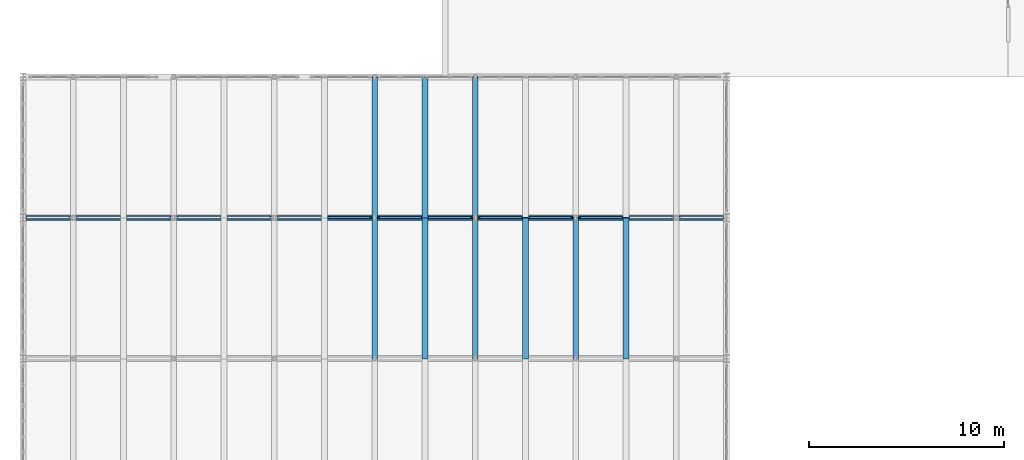
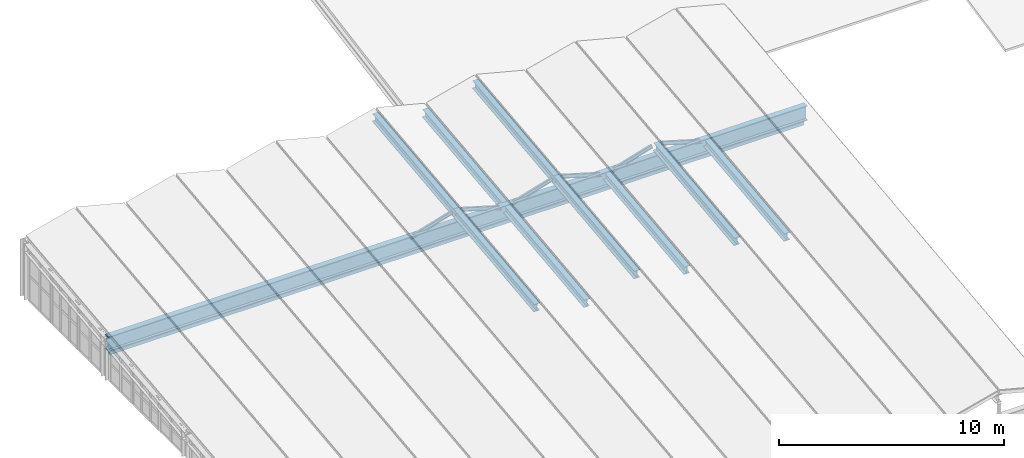
# One storey, part 6 of 39: 10 beams, 7 members.
"""IFC4 building model written with IfcOpenShell, lengths in metres."""

import ifcopenshell
import ifcopenshell.guid

model = None  # the IFC model being written
_history = None  # IfcOwnerHistory: only IFC2X3 demands one
_inside = {}  # id of a spatial element -> (the spatial element, [elements in it])
_under = {}  # id of a project, library or spatial element -> (it, [spatial elements below it])
_declared = {}  # id of a project -> (the project, [libraries it declares])
_typed = {}  # id of a type object -> (the type object, [elements of that type])
_made_of = {}  # id of a material, layer set ... -> (it, [elements and type objects made of it])


def new_model(schema):
    """Start an empty IFC model of exactly this schema.

    Asked for "IFC4X3", IfcOpenShell would pick the latest addendum, in which some entities
    have other attributes; the version numbers below select the first issue.
    IFC2X3 requires an IfcOwnerHistory on every rooted entity: one is made here for all.
    """
    global model, _history
    if schema == "IFC4X3":
        model = ifcopenshell.file(schema_version=(4, 3, 0, 0))
    else:
        model = ifcopenshell.file(schema=schema)
    _inside.clear()
    _under.clear()
    _declared.clear()
    _typed.clear()
    _made_of.clear()
    _history = None
    if model.schema == "IFC2X3":
        org = make("IfcOrganization", Name="unknown")
        user = make(
            "IfcPersonAndOrganization",
            ThePerson=make("IfcPerson", FamilyName="unknown"),
            TheOrganization=org,
        )
        app = make(
            "IfcApplication",
            ApplicationDeveloper=org,
            Version="unknown",
            ApplicationFullName="unknown",
            ApplicationIdentifier="unknown",
        )
        _history = make(
            "IfcOwnerHistory",
            OwningUser=user,
            OwningApplication=app,
            ChangeAction="ADDED",
            CreationDate=0,
        )
    return model


def make(cls, **values):
    """One entity of the class cls with the attributes given. An attribute that is None is left unset."""
    return model.create_entity(
        cls, **{name: value for name, value in values.items() if value is not None}
    )


def rooted(cls, **values):
    """An entity with a GlobalId (a new one), such as an element, a storey or a relation."""
    return make(cls, GlobalId=ifcopenshell.guid.new(), OwnerHistory=_history, **values)


def si_unit(unit_type, name, prefix=None):
    """IfcSIUnit, for example si_unit("LENGTHUNIT", "METRE", prefix="MILLI")."""
    return make("IfcSIUnit", UnitType=unit_type, Prefix=prefix, Name=name)


def assignment(units):
    """IfcUnitAssignment: the units of a project."""
    return None if units is None else make("IfcUnitAssignment", Units=units)


def point(xyz):
    """IfcCartesianPoint."""
    return None if xyz is None else make("IfcCartesianPoint", Coordinates=xyz)


def direction(xyz):
    """IfcDirection."""
    return None if xyz is None else make("IfcDirection", DirectionRatios=xyz)


def frame(location, z_axis=None, x_axis=None):
    """IfcAxis2Placement3D, a coordinate frame: its origin and axes. An axis left out is left unset."""
    return make(
        "IfcAxis2Placement3D",
        Location=point(location),
        Axis=direction(z_axis),
        RefDirection=direction(x_axis),
    )


def frame_2d(location, x_axis=None):
    """IfcAxis2Placement2D, a coordinate frame in the plane: its origin and x axis."""
    return make(
        "IfcAxis2Placement2D", Location=point(location), RefDirection=direction(x_axis)
    )


def origin():
    """The frame at (0, 0, 0) with its axes left unset."""
    return frame((0.0, 0.0, 0.0))


def origin_2d():
    """The frame at (0, 0) in the plane with its x axis left unset."""
    return frame_2d((0.0, 0.0))


def place(relative_to, where):
    """IfcLocalPlacement: puts the frame where relative to a parent placement (None: the world)."""
    return make(
        "IfcLocalPlacement", PlacementRelTo=relative_to, RelativePlacement=where
    )


def context(
    kind, dimensions, precision=None, world=None, true_north=None, identifier=None
):
    """IfcGeometricRepresentationContext, for example the 3D "Model" context."""
    return make(
        "IfcGeometricRepresentationContext",
        ContextIdentifier=identifier,
        ContextType=kind,
        CoordinateSpaceDimension=dimensions,
        Precision=precision,
        WorldCoordinateSystem=world,
        TrueNorth=true_north,
    )


def subcontext(parent, identifier, kind, view, scale=None):
    """IfcGeometricRepresentationSubContext, for example "Body" below "Model"."""
    return make(
        "IfcGeometricRepresentationSubContext",
        ContextIdentifier=identifier,
        ContextType=kind,
        ParentContext=parent,
        TargetScale=scale,
        TargetView=view,
    )


def project(units=None, contexts=None):
    """IfcProject with its units and contexts."""
    return rooted(
        "IfcProject",
        Name="project",
        RepresentationContexts=contexts,
        UnitsInContext=assignment(units),
    )


def spatial(cls, under=None, at=None, **own):
    """A site, building, storey or space (cls), placed at a placement, below another one or the project."""
    s = rooted(cls, ObjectPlacement=at, **own)
    if under is not None:
        _under.setdefault(under.id(), (under, []))[1].append(s)
    return s


def profile(cls, at=None, kind="AREA", **sizes):
    """A parametric profile (cls). Its sizes go by their IFC names, for example OverallWidth=200.0."""
    return make(cls, ProfileType=kind, Position=at, **sizes)


def hollow_rectangle(**sizes):
    """IfcRectangleHollowProfileDef."""
    return profile("IfcRectangleHollowProfileDef", **sizes)


def i_section(**sizes):
    """IfcIShapeProfileDef."""
    return profile("IfcIShapeProfileDef", **sizes)


def extrude(swept, where, along, depth):
    """IfcExtrudedAreaSolid: the profile swept, set in the frame where, extruded along a direction by depth."""
    return make(
        "IfcExtrudedAreaSolid",
        SweptArea=swept,
        Position=where,
        ExtrudedDirection=direction(along),
        Depth=depth,
    )


def shape(context_of_items, identifier, shape_type, items):
    """IfcShapeRepresentation: the items that make up one representation, for example the "Body"."""
    return make(
        "IfcShapeRepresentation",
        ContextOfItems=context_of_items,
        RepresentationIdentifier=identifier,
        RepresentationType=shape_type,
        Items=items,
    )


def material(Name=None, Category=None):
    """IfcMaterial."""
    return make("IfcMaterial", Name=Name, Category=Category)


def material_profile(
    of_material, cross_section, Name=None, Category=None, Priority=None
):
    """IfcMaterialProfile: a cross section and its material."""
    return make(
        "IfcMaterialProfile",
        Name=Name,
        Material=of_material,
        Profile=cross_section,
        Priority=Priority,
        Category=Category,
    )


def profile_set(profiles, Name=None, composite=None):
    """IfcMaterialProfileSet."""
    return make(
        "IfcMaterialProfileSet",
        Name=Name,
        MaterialProfiles=profiles,
        CompositeProfile=composite,
    )


def made_of(thing, what):
    """Note that an element or type object is made of a material, layer set ...; save() writes the relation."""
    if what is not None:
        _made_of.setdefault(what.id(), (what, []))[1].append(thing)
    return thing


def type_object(cls, material=None, **own):
    """A type object (cls), such as IfcWallType, which elements share."""
    return made_of(rooted(cls, **own), material)


def element(
    cls,
    number,
    at=None,
    inside=None,
    cuts=None,
    type_object=None,
    material=None,
    context=None,
    identifier="Body",
    shape_type=None,
    held_by="IfcProductDefinitionShape",
    body=None,
    shapes=None,
    **own,
):
    """One element of the class cls, such as IfcWall. Its Tag is "e" and its number.

    at: its placement. inside: the storey or other place that contains it. cuts: it is an
    opening in that element (IfcRelVoidsElement). A single representation is given by context,
    identifier, shape_type and body (its items); several are given by shapes. held_by: the class
    of the entity that holds the representations. save() writes the other relations.
    """
    e = rooted(cls, Tag="e%d" % number, ObjectPlacement=at, **own)
    if body is not None:
        shapes = [shape(context, identifier, shape_type, body)]
    if shapes is not None:
        e.Representation = make(held_by, Representations=shapes)
    if inside is not None:
        _inside.setdefault(inside.id(), (inside, []))[1].append(e)
    if cuts is not None:
        rooted(
            "IfcRelVoidsElement", RelatingBuildingElement=cuts, RelatedOpeningElement=e
        )
    if type_object is not None:
        _typed.setdefault(type_object.id(), (type_object, []))[1].append(e)
    return made_of(e, material)


def aggregate(whole, parts):
    """IfcRelAggregates: a whole, such as a stair, and the parts it consists of."""
    return rooted("IfcRelAggregates", RelatingObject=whole, RelatedObjects=parts)


def save(model, path):
    """Write the relations noted so far, then the file.

    IfcRelAggregates (storeys below a building ...), IfcRelContainedInSpatialStructure (elements
    in a storey), IfcRelDefinesByType, IfcRelAssociatesMaterial and IfcRelDeclares: one each for
    every whole, place, type object, material and project.
    """
    for whole, parts in _under.values():
        aggregate(whole, parts)
    for where, things in _inside.values():
        rooted(
            "IfcRelContainedInSpatialStructure",
            RelatedElements=things,
            RelatingStructure=where,
        )
    for kind, things in _typed.values():
        rooted("IfcRelDefinesByType", RelatedObjects=things, RelatingType=kind)
    for what, things in _made_of.values():
        rooted("IfcRelAssociatesMaterial", RelatedObjects=things, RelatingMaterial=what)
    for by, libraries in _declared.values():
        rooted("IfcRelDeclares", RelatingContext=by, RelatedDefinitions=libraries)
    model.write(path)


model = new_model("IFC4")

# Units and contexts
model_context = context("Model", 3, precision=1e-05, world=origin(), true_north=direction((0.0, 1.0)))
body_context = subcontext(model_context, "Body", "Model", "MODEL_VIEW")
ifc_project = project(units=[si_unit("LENGTHUNIT", "METRE"), si_unit("AREAUNIT", "SQUARE_METRE"), si_unit("VOLUMEUNIT", "CUBIC_METRE"), si_unit("PLANEANGLEUNIT", "RADIAN"), si_unit("MASSUNIT", "GRAM", prefix="KILO"), si_unit("THERMODYNAMICTEMPERATUREUNIT", "KELVIN"), si_unit("POWERUNIT", "WATT")], contexts=[model_context])

# Site, building, storey
site_placement = place(None, origin())
site = spatial("IfcSite", under=ifc_project, at=site_placement, CompositionType="ELEMENT")
building_placement = place(site_placement, origin())
building = spatial("IfcBuilding", under=site, at=building_placement, Name="Kaldorven Railside Theatre", CompositionType="ELEMENT")
storey_placement = place(building_placement, frame((0.0, 0.0, 27.300048828125)))
storey = spatial("IfcBuildingStorey", under=building, at=storey_placement, Name="ROOF", CompositionType="ELEMENT", Elevation=27.300048828125)

# Beams
ifc_material = material(Name="Steel S355", Category="steel")
ifc_material_profile_1 = material_profile(ifc_material, i_section(OverallWidth=0.300048828125, OverallDepth=0.449951171875, WebThickness=0.013916015625, FlangeThickness=0.02587890625, at=origin_2d()), Name="HEB 450")
ifc_profile_set_1 = profile_set([ifc_material_profile_1], Name="Steel S355")
beam_type_1 = type_object("IfcBeamType", Name="BM-HEB450", PredefinedType="BEAM", material=ifc_profile_set_1)
beam_1_placement = place(storey_placement, frame((105.199951171875, 98.39990234375, 1.8701171875), z_axis=(0.0, 0.993580147592, 0.113130412845), x_axis=(-1.0, 0.0, 0.0)))
element("IfcBeam", 1, at=beam_1_placement, inside=storey, type_object=beam_type_1, Name="V2 Folded-Plate Ridge Girder RB-129", PredefinedType="BEAM", context=body_context, shape_type="SweptSolid", body=[
    extrude(i_section(OverallWidth=0.300048828125, OverallDepth=0.449951171875, WebThickness=0.013916015625, FlangeThickness=0.02587890625, at=origin_2d()), origin(), (0.0, 0.0, 1.0), 7.246826171875),
])
beam_2_placement = place(storey_placement, frame((105.199951171875, 105.60009765625, 2.68994140625), z_axis=(0.0, 0.993575928723, 0.11316745938), x_axis=(-1.0, 0.0, 0.0)))
element("IfcBeam", 2, at=beam_2_placement, inside=storey, type_object=beam_type_1, Name="V2 Folded-Plate Ridge Girder RB-130", PredefinedType="BEAM", context=body_context, shape_type="SweptSolid", body=[
    extrude(i_section(OverallWidth=0.300048828125, OverallDepth=0.449951171875, WebThickness=0.013916015625, FlangeThickness=0.02587890625, at=origin_2d()), origin(), (0.0, 0.0, 1.0), 7.24658203125),
])
beam_3_placement = place(storey_placement, frame((107.771484375, 98.39990234375, 1.205078125), z_axis=(0.0, 0.993576360175, 0.113163671295), x_axis=(-1.0, 0.0, 0.0)))
element("IfcBeam", 3, at=beam_3_placement, inside=storey, type_object=beam_type_1, Name="V2 Folded-Plate Valley Girder VB-133", PredefinedType="BEAM", context=body_context, shape_type="SweptSolid", body=[
    extrude(i_section(OverallWidth=0.300048828125, OverallDepth=0.449951171875, WebThickness=0.013916015625, FlangeThickness=0.02587890625, at=origin_2d()), origin(), (0.0, 0.0, 1.0), 7.246826171875),
])
beam_4_placement = place(storey_placement, frame((107.771484375, 105.60009765625, 2.025146484375), z_axis=(0.0, 0.993579716392, 0.113134199846), x_axis=(-1.0, 0.0, 0.0)))
element("IfcBeam", 4, at=beam_4_placement, inside=storey, type_object=beam_type_1, Name="V2 Folded-Plate Valley Girder VB-134", PredefinedType="BEAM", context=body_context, shape_type="SweptSolid", body=[
    extrude(i_section(OverallWidth=0.300048828125, OverallDepth=0.449951171875, WebThickness=0.013916015625, FlangeThickness=0.02587890625, at=origin_2d()), origin(), (0.0, 0.0, 1.0), 7.24658203125),
])
beam_5_placement = place(storey_placement, frame((110.3427734375, 98.39990234375, 1.8701171875), z_axis=(0.0, 0.993580147592, 0.113130412845), x_axis=(-1.0, 0.0, 0.0)))
element("IfcBeam", 5, at=beam_5_placement, inside=storey, type_object=beam_type_1, Name="V2 Folded-Plate Ridge Girder RB-137", PredefinedType="BEAM", context=body_context, shape_type="SweptSolid", body=[
    extrude(i_section(OverallWidth=0.300048828125, OverallDepth=0.449951171875, WebThickness=0.013916015625, FlangeThickness=0.02587890625, at=origin_2d()), origin(), (0.0, 0.0, 1.0), 7.246826171875),
])
beam_6_placement = place(storey_placement, frame((110.3427734375, 105.60009765625, 2.68994140625), z_axis=(0.0, 0.993575928723, 0.11316745938), x_axis=(-1.0, 0.0, 0.0)))
element("IfcBeam", 6, at=beam_6_placement, inside=storey, type_object=beam_type_1, Name="V2 Folded-Plate Ridge Girder RB-138", PredefinedType="BEAM", context=body_context, shape_type="SweptSolid", body=[
    extrude(i_section(OverallWidth=0.300048828125, OverallDepth=0.449951171875, WebThickness=0.013916015625, FlangeThickness=0.02587890625, at=origin_2d()), origin(), (0.0, 0.0, 1.0), 7.24658203125),
])
for number, where, z_axis, x_axis, name in (
    (7, (112.914306640625, 98.39990234375, 1.205078125), (0.0, 0.993576360175, 0.113163671295), (-1.0, 0.0, 0.0), "V2 Folded-Plate Valley Girder VB-141"),
    (8, (115.485595703125, 98.39990234375, 1.8701171875), (0.0, 0.993580147592, 0.113130412845), (-1.0, 0.0, 0.0), "V2 Folded-Plate Ridge Girder RB-145"),
    (9, (118.05712890625, 98.39990234375, 1.205078125), (0.0, 0.993576360175, 0.113163671295), (-1.0, 0.0, 0.0), "V2 Folded-Plate Valley Girder VB-149"),
):
    element("IfcBeam", number, at=place(storey_placement, frame(where, z_axis=z_axis, x_axis=x_axis)), inside=storey, type_object=beam_type_1, Name=name, PredefinedType="BEAM", context=body_context, shape_type="SweptSolid", body=[
        extrude(i_section(OverallWidth=0.300048828125, OverallDepth=0.449951171875, WebThickness=0.013916015625, FlangeThickness=0.02587890625, at=origin_2d()), origin(), (0.0, 0.0, 1.0), 7.246826171875),
    ])
ifc_material_profile_2 = material_profile(ifc_material, i_section(OverallWidth=0.300048828125, OverallDepth=0.800048828125, WebThickness=0.017578125, FlangeThickness=0.032958984375, at=origin_2d()), Name="HEB 800")
ifc_profile_set_2 = profile_set([ifc_material_profile_2], Name="Steel S355")
beam_type_2 = type_object("IfcBeamType", Name="BM-HEB800", PredefinedType="USERDEFINED", material=ifc_profile_set_2)
beam_7_placement = place(storey_placement, frame((87.219970703125, 105.60009765625, 1.864501953125), z_axis=(1.0, 0.0, 0.0), x_axis=(0.0, 1.0, 0.0)))
element("IfcBeam", 10, at=beam_7_placement, inside=storey, type_object=beam_type_2, Name="V2 Folded-Plate Transverse Truss Girder RTG-098", ObjectType="ROOF TRUSS", PredefinedType="USERDEFINED", context=body_context, shape_type="SweptSolid", body=[
    extrude(i_section(OverallWidth=0.300048828125, OverallDepth=0.800048828125, WebThickness=0.017578125, FlangeThickness=0.032958984375, at=origin_2d()), origin(), (0.0, 0.0, 1.0), 35.9599609375),
])

# Members
ifc_material_profile_3 = material_profile(ifc_material, i_section(OverallWidth=0.10009765625, OverallDepth=0.199951171875, WebThickness=0.005615234375, FlangeThickness=0.008544921875, at=origin_2d()), Name="IPE 200")
ifc_profile_set_3 = profile_set([ifc_material_profile_3], Name="Steel S355")
member_type_1 = type_object("IfcMemberType", Name="MEM-IPE200", PredefinedType="PURLIN", material=ifc_profile_set_3)
member_1_placement = place(storey_placement, frame((102.836669921875, 105.60009765625, 2.119384765625), z_axis=(0.958582036806, 0.0, 0.284816570292), x_axis=(0.0, 1.0, 0.0)))
element("IfcMember", 11, at=member_1_placement, inside=storey, type_object=member_type_1, Name="V2 Folded-Roof Transverse Purlin PRL-042", PredefinedType="PURLIN", context=body_context, shape_type="SweptSolid", body=[
    extrude(i_section(OverallWidth=0.10009765625, OverallDepth=0.199951171875, WebThickness=0.005615234375, FlangeThickness=0.008544921875, at=origin_2d()), origin(), (0.0, 0.0, 1.0), 2.248291015625),
])
member_2_placement = place(storey_placement, frame((105.407958984375, 105.60009765625, 2.759765625), z_axis=(0.95859084384, 0.0, -0.284786927556), x_axis=(0.0, 1.0, 0.0)))
element("IfcMember", 12, at=member_2_placement, inside=storey, type_object=member_type_1, Name="V2 Folded-Roof Transverse Purlin PRL-044", PredefinedType="PURLIN", context=body_context, shape_type="SweptSolid", body=[
    extrude(i_section(OverallWidth=0.10009765625, OverallDepth=0.199951171875, WebThickness=0.005615234375, FlangeThickness=0.008544921875, at=origin_2d()), origin(), (0.0, 0.0, 1.0), 2.24853515625),
])
member_3_placement = place(storey_placement, frame((107.9794921875, 105.60009765625, 2.119384765625), z_axis=(0.958582036806, 0.0, 0.284816570292), x_axis=(0.0, 1.0, 0.0)))
element("IfcMember", 13, at=member_3_placement, inside=storey, type_object=member_type_1, Name="V2 Folded-Roof Transverse Purlin PRL-046", PredefinedType="PURLIN", context=body_context, shape_type="SweptSolid", body=[
    extrude(i_section(OverallWidth=0.10009765625, OverallDepth=0.199951171875, WebThickness=0.005615234375, FlangeThickness=0.008544921875, at=origin_2d()), origin(), (0.0, 0.0, 1.0), 2.248291015625),
])
member_4_placement = place(storey_placement, frame((110.55078125, 105.60009765625, 2.759765625), z_axis=(0.95859084384, 0.0, -0.284786927556), x_axis=(0.0, 1.0, 0.0)))
element("IfcMember", 14, at=member_4_placement, inside=storey, type_object=member_type_1, Name="V2 Folded-Roof Transverse Purlin PRL-048", PredefinedType="PURLIN", context=body_context, shape_type="SweptSolid", body=[
    extrude(i_section(OverallWidth=0.10009765625, OverallDepth=0.199951171875, WebThickness=0.005615234375, FlangeThickness=0.008544921875, at=origin_2d()), origin(), (0.0, 0.0, 1.0), 2.24853515625),
])
member_5_placement = place(storey_placement, frame((113.122314453125, 105.60009765625, 2.119384765625), z_axis=(0.958582036806, 0.0, 0.284816570292), x_axis=(0.0, 1.0, 0.0)))
element("IfcMember", 15, at=member_5_placement, inside=storey, type_object=member_type_1, Name="V2 Folded-Roof Transverse Purlin PRL-050", PredefinedType="PURLIN", context=body_context, shape_type="SweptSolid", body=[
    extrude(i_section(OverallWidth=0.10009765625, OverallDepth=0.199951171875, WebThickness=0.005615234375, FlangeThickness=0.008544921875, at=origin_2d()), origin(), (0.0, 0.0, 1.0), 2.248291015625),
])
member_6_placement = place(storey_placement, frame((115.693603515625, 105.60009765625, 2.759765625), z_axis=(0.95859084384, 0.0, -0.284786927556), x_axis=(0.0, 1.0, 0.0)))
element("IfcMember", 16, at=member_6_placement, inside=storey, type_object=member_type_1, Name="V2 Folded-Roof Transverse Purlin PRL-052", PredefinedType="PURLIN", context=body_context, shape_type="SweptSolid", body=[
    extrude(i_section(OverallWidth=0.10009765625, OverallDepth=0.199951171875, WebThickness=0.005615234375, FlangeThickness=0.008544921875, at=origin_2d()), origin(), (0.0, 0.0, 1.0), 2.24853515625),
])
ifc_material_profile_4 = material_profile(ifc_material, hollow_rectangle(XDim=0.14990234375, YDim=0.25, WallThickness=0.010009765625, at=origin_2d()), Name="RHS 250x150x10")
ifc_profile_set_4 = profile_set([ifc_material_profile_4], Name="Steel S355")
member_type_2 = type_object("IfcMemberType", Name="MEM-RHS250", PredefinedType="CHORD", material=ifc_profile_set_4)
member_7_placement = place(storey_placement, frame((87.35009765625, 105.60009765625, 1.33935546875), z_axis=(1.0, 0.0, 0.0), x_axis=(0.0, 1.0, 0.0)))
element("IfcMember", 17, at=member_7_placement, inside=storey, type_object=member_type_2, Name="V2 Roof Truss Tie Chord CHD-043", PredefinedType="CHORD", context=body_context, shape_type="SweptSolid", body=[
    extrude(hollow_rectangle(XDim=0.14990234375, YDim=0.25, WallThickness=0.010009765625, at=origin_2d()), origin(), (0.0, 0.0, 1.0), 35.699951171875),
])

save(model, "model.ifc")
